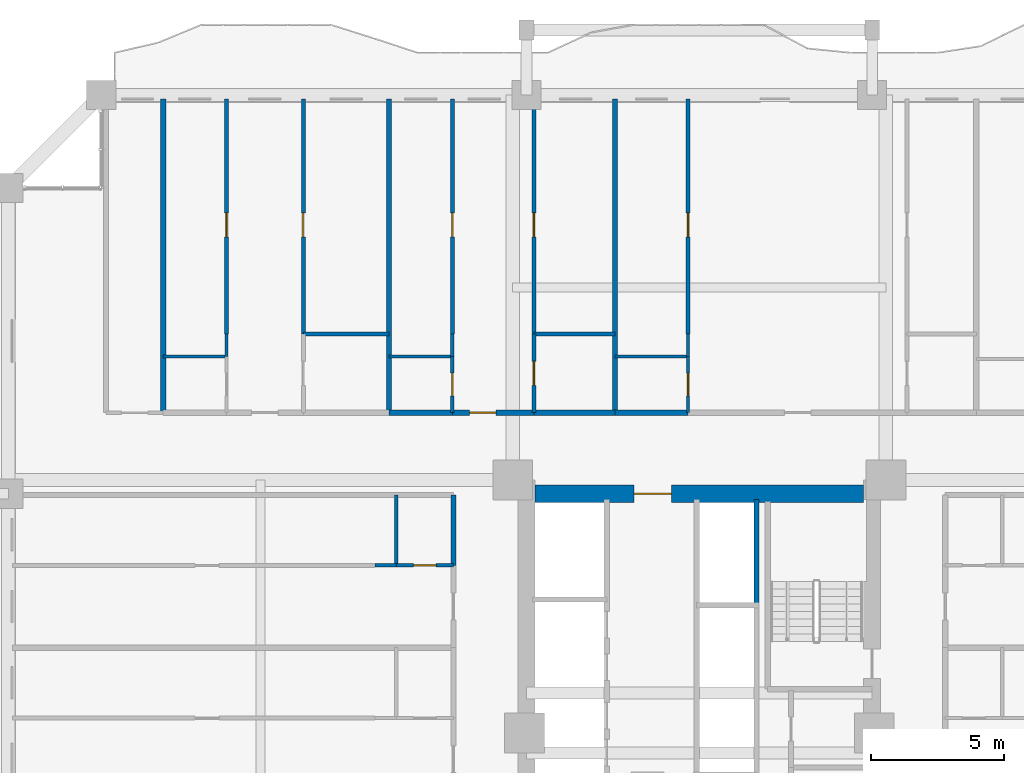
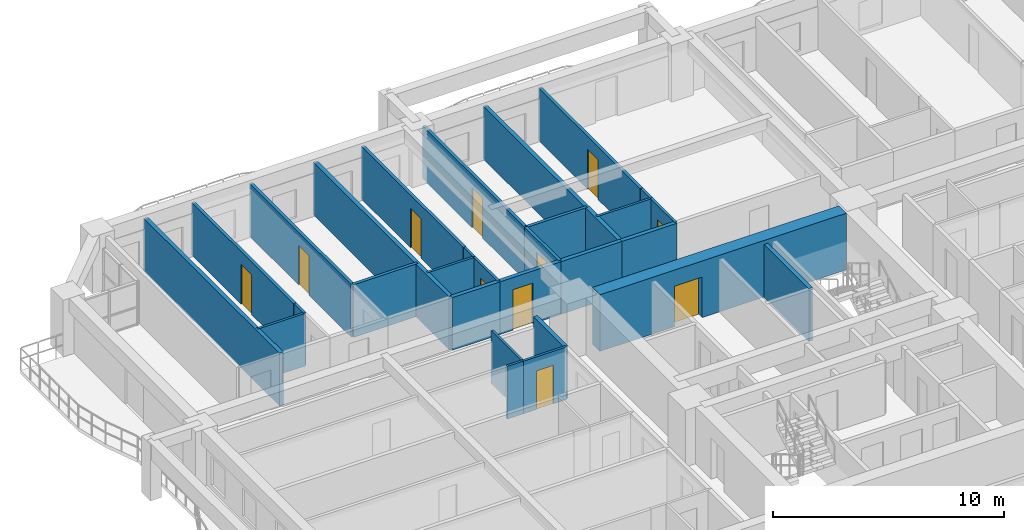
# One storey, part 19 of 28: 29 walls, 11 doors, 11 openings.
"""IFC4 building model written with IfcOpenShell, lengths in metres."""

from ifc_helpers import new_model, si_unit, direction, frame, frame_2d, origin, place, context, subcontext, project, spatial, rectangle, extrude, source, transform, mapped, material, layer, layer_set, type_object, element, fill, save


model = new_model("IFC4")

# Units and contexts
model_context = context("Model", 3, precision=1e-05, world=origin(), true_north=direction((0.0, 1.0)))
body_context = subcontext(model_context, "Body", "Model", "MODEL_VIEW")
ifc_project = project(units=[si_unit("LENGTHUNIT", "METRE"), si_unit("AREAUNIT", "SQUARE_METRE"), si_unit("VOLUMEUNIT", "CUBIC_METRE"), si_unit("PLANEANGLEUNIT", "RADIAN"), si_unit("MASSUNIT", "GRAM", prefix="KILO")], contexts=[model_context])

# Site, building, storey
site_placement = place(None, origin())
site = spatial("IfcSite", under=ifc_project, at=site_placement, CompositionType="ELEMENT")
building_placement = place(site_placement, origin())
building = spatial("IfcBuilding", under=site, at=building_placement, Name="Saelheon Loggia Tower", CompositionType="ELEMENT")
storey_placement = place(building_placement, frame((0.0, 0.0, 61.39990234375)))
storey = spatial("IfcBuildingStorey", under=building, at=storey_placement, Name="L19", CompositionType="ELEMENT", Elevation=61.39990234375)

# Wall, opening, door
ifc_material_1 = material(Name="Concrete C60/75", Category="concrete")
ifc_layer_1 = layer(ifc_material_1, 0.64990234375)
ifc_layer_set_1 = layer_set([ifc_layer_1], Name="Concrete C60/75")
wall_type_1 = type_object("IfcWallType", Name="Wall_CoreShear_650", PredefinedType="SHEAR", material=ifc_layer_set_1)
wall_1_placement = place(storey_placement, frame((31.824951171875, 36.0, 0.0), z_axis=(0.0, 0.0, 1.0), x_axis=(1.0, 0.0, 0.0)))
wall_1 = element("IfcWall", 1, at=wall_1_placement, inside=storey, type_object=wall_type_1, Name="L19 Core Shear Wall North", PredefinedType="SHEAR", context=body_context, shape_type="SweptSolid", body=[
    extrude(rectangle(XDim=12.35009765625, YDim=0.64990234375, at=frame_2d((6.175048828125, 0.0))), origin(), (0.0, 0.0, 1.0), 3.0),
])
opening_1_placement = place(wall_1_placement, frame((5.125, 0.0, 0.0), z_axis=(0.0, 0.0, 1.0), x_axis=(-1.0, 0.0, 0.0)))
opening_1 = element("IfcOpeningElement", 2, at=opening_1_placement, cuts=wall_1, Name="Opening D-FD2L", PredefinedType="OPENING", context=body_context, shape_type="SweptSolid", body=[
    extrude(rectangle(XDim=1.39990234375, YDim=2.14990234375, at=frame_2d((0.699951171875, 1.074951171875))), frame((0.0, 0.3369140625, 0.0), z_axis=(0.0, -1.0, 0.0), x_axis=(1.0, 0.0, 0.0)), (0.0, 0.0, 1.0), 0.673828125),
])
ifc_material_2 = material(Name="Galvanised Steel Glazed Lobby Fire Door", Category="steel")
door_type_1 = type_object("IfcDoorType", Name="Door_Fire_FD60_1400", OperationType="NOTDEFINED", PredefinedType="DOOR", material=ifc_material_2)
shared_shape_1 = source(origin(), body_context, "Body", "SweptSolid", [
    extrude(rectangle(XDim=1.39990234375, YDim=2.14990234375, at=frame_2d((0.699951171875, 1.074951171875))), frame((0.0, 0.02490234375, 0.0), z_axis=(0.0, -1.0, 0.0), x_axis=(1.0, 0.0, 0.0)), (0.0, 0.0, 1.0), 0.050048828125),
])
door_1_placement = place(opening_1_placement, origin())
door_1 = element("IfcDoor", 3, at=door_1_placement, inside=storey, type_object=door_type_1, Name="L19 Passenger Lift Lobby Main Door", OperationType="SINGLE_SWING_RIGHT", OverallHeight=2.14990234375, OverallWidth=1.39990234375, PredefinedType="DOOR", context=body_context, shape_type="MappedRepresentation", body=[
    mapped(shared_shape_1, transform((0.0, 0.0, 0.0), scale=1.0)),
])
fill(opening_1, door_1)

# Wall
ifc_material_3 = material(Name="Lightweight Autoclaved Aerated Concrete Block and Acoustic Gypsum", Category="concrete")
ifc_layer_2 = layer(ifc_material_3, 0.14990234375)
ifc_layer_set_2 = layer_set([ifc_layer_2], Name="Lightweight Autoclaved Aerated Concrete Block and Acoustic Gypsum")
wall_type_2 = type_object("IfcWallType", Name="Wall_Part_150", PredefinedType="PARTITIONING", material=ifc_layer_set_2)
wall_2_placement = place(storey_placement, frame((23.098876953125, 42.010009765625, 0.0), z_axis=(0.0, 0.0, 1.0), x_axis=(1.0, 0.0, 0.0)))
element("IfcWall", 4, at=wall_2_placement, inside=storey, type_object=wall_type_2, Name="L19 N Partition V09", PredefinedType="PARTITIONING", context=body_context, shape_type="SweptSolid", body=[
    extrude(rectangle(XDim=3.22900390625, YDim=0.14990234375, at=frame_2d((1.614501953125, 0.0))), origin(), (0.0, 0.0, 1.0), 2.7900390625),
])

# Wall, opening, door
wall_3_placement = place(storey_placement, frame((20.20947265625, 42.010009765625, 0.0), z_axis=(0.0, 0.0, 1.0), x_axis=(0.0, 1.0, 0.0)))
wall_3 = element("IfcWall", 5, at=wall_3_placement, inside=storey, type_object=wall_type_2, Name="L19 N Partition U12", PredefinedType="PARTITIONING", context=body_context, shape_type="SweptSolid", body=[
    extrude(rectangle(XDim=8.840087890625, YDim=0.14990234375, at=frame_2d((4.419921875, 0.0))), origin(), (0.0, 0.0, 1.0), 2.7900390625),
])
opening_2_placement = place(wall_3_placement, frame((3.6591796875, 0.0, 0.0)))
opening_2 = element("IfcOpeningElement", 6, at=opening_2_placement, cuts=wall_3, Name="Opening D-IN2", PredefinedType="OPENING", context=body_context, shape_type="SweptSolid", body=[
    extrude(rectangle(XDim=0.89990234375, YDim=2.10009765625, at=frame_2d((0.449951171875, 1.050048828125))), frame((0.0, 0.0869140625, 0.0), z_axis=(0.0, -1.0, 0.0), x_axis=(1.0, 0.0, 0.0)), (0.0, 0.0, 1.0), 0.173828125),
])
ifc_material_4 = material(Name="Engineered Oak Flush Door", Category="timber")
door_type_2 = type_object("IfcDoorType", Name="Door_Int_900", OperationType="NOTDEFINED", PredefinedType="DOOR", material=ifc_material_4)
shared_shape_2 = source(origin(), body_context, "Body", "SweptSolid", [
    extrude(rectangle(XDim=0.89990234375, YDim=2.10009765625, at=frame_2d((0.449951171875, 1.050048828125))), frame((0.0, 0.02490234375, 0.0), z_axis=(0.0, -1.0, 0.0), x_axis=(1.0, 0.0, 0.0)), (0.0, 0.0, 1.0), 0.050048828125),
])
door_2_placement = place(opening_2_placement, origin())
door_2 = element("IfcDoor", 7, at=door_2_placement, inside=storey, type_object=door_type_2, Name="Unit U06 Kitchen Door", OperationType="SINGLE_SWING_LEFT", OverallHeight=2.10009765625, OverallWidth=0.89990234375, PredefinedType="DOOR", context=body_context, shape_type="MappedRepresentation", body=[
    mapped(shared_shape_2, transform((0.0, 0.0, 0.0), scale=1.0)),
])
fill(opening_2, door_2)

wall_4_placement = place(storey_placement, frame((23.098876953125, 42.010009765625, 0.0), z_axis=(0.0, 0.0, 1.0), x_axis=(0.0, 1.0, 0.0)))
wall_4 = element("IfcWall", 8, at=wall_4_placement, inside=storey, type_object=wall_type_2, Name="L19 N Partition U14", PredefinedType="PARTITIONING", context=body_context, shape_type="SweptSolid", body=[
    extrude(rectangle(XDim=8.840087890625, YDim=0.14990234375, at=frame_2d((4.419921875, 0.0))), origin(), (0.0, 0.0, 1.0), 2.7900390625),
])
opening_3_placement = place(wall_4_placement, frame((3.6591796875, 0.0, 0.0)))
opening_3 = element("IfcOpeningElement", 9, at=opening_3_placement, cuts=wall_4, Name="Opening D-IN2", PredefinedType="OPENING", context=body_context, shape_type="SweptSolid", body=[
    extrude(rectangle(XDim=0.89990234375, YDim=2.10009765625, at=frame_2d((0.449951171875, 1.050048828125))), frame((0.0, 0.0869140625, 0.0), z_axis=(0.0, -1.0, 0.0), x_axis=(1.0, 0.0, 0.0)), (0.0, 0.0, 1.0), 0.173828125),
])
door_3_placement = place(opening_3_placement, origin())
door_3 = element("IfcDoor", 10, at=door_3_placement, inside=storey, type_object=door_type_2, Name="Unit U06 Bedroom 1 Door", OperationType="SINGLE_SWING_LEFT", OverallHeight=2.10009765625, OverallWidth=0.89990234375, PredefinedType="DOOR", context=body_context, shape_type="MappedRepresentation", body=[
    mapped(shared_shape_2, transform((0.0, 0.0, 0.0), scale=1.0)),
])
fill(opening_3, door_3)

# Wall
wall_5_placement = place(storey_placement, frame((31.780029296875, 42.010009765625, 0.0), z_axis=(0.0, 0.0, 1.0), x_axis=(1.0, 0.0, 0.0)))
element("IfcWall", 11, at=wall_5_placement, inside=storey, type_object=wall_type_2, Name="L19 N Partition V20", PredefinedType="PARTITIONING", context=body_context, shape_type="SweptSolid", body=[
    extrude(rectangle(XDim=3.0458984375, YDim=0.14990234375, at=frame_2d((1.52294921875, 0.0))), origin(), (0.0, 0.0, 1.0), 2.7900390625),
])

# Wall, opening, door
wall_6_placement = place(storey_placement, frame((28.70751953125, 42.010009765625, 0.0), z_axis=(0.0, 0.0, 1.0), x_axis=(0.0, 1.0, 0.0)))
wall_6 = element("IfcWall", 12, at=wall_6_placement, inside=storey, type_object=wall_type_2, Name="L19 N Partition U23", PredefinedType="PARTITIONING", context=body_context, shape_type="SweptSolid", body=[
    extrude(rectangle(XDim=8.840087890625, YDim=0.14990234375, at=frame_2d((4.419921875, 0.0))), origin(), (0.0, 0.0, 1.0), 2.7900390625),
])
opening_4_placement = place(wall_6_placement, frame((3.6591796875, 0.0, 0.0)))
opening_4 = element("IfcOpeningElement", 13, at=opening_4_placement, cuts=wall_6, Name="Opening D-IN2", PredefinedType="OPENING", context=body_context, shape_type="SweptSolid", body=[
    extrude(rectangle(XDim=0.89990234375, YDim=2.10009765625, at=frame_2d((0.449951171875, 1.050048828125))), frame((0.0, 0.0869140625, 0.0), z_axis=(0.0, -1.0, 0.0), x_axis=(1.0, 0.0, 0.0)), (0.0, 0.0, 1.0), 0.173828125),
])
door_4_placement = place(opening_4_placement, origin())
door_4 = element("IfcDoor", 14, at=door_4_placement, inside=storey, type_object=door_type_2, Name="Unit U07 Kitchen Door", OperationType="SINGLE_SWING_RIGHT", OverallHeight=2.10009765625, OverallWidth=0.89990234375, PredefinedType="DOOR", context=body_context, shape_type="MappedRepresentation", body=[
    mapped(shared_shape_2, transform((0.0, 0.0, 0.0), scale=1.0)),
])
fill(opening_4, door_4)

wall_7_placement = place(storey_placement, frame((31.780029296875, 39.050048828125, 0.0), z_axis=(0.0, 0.0, 1.0), x_axis=(0.0, 1.0, 0.0)))
wall_7 = element("IfcWall", 15, at=wall_7_placement, inside=storey, type_object=wall_type_2, Name="L19 N Partition U24", PredefinedType="PARTITIONING", context=body_context, shape_type="SweptSolid", body=[
    extrude(rectangle(XDim=2.9599609375, YDim=0.14990234375, at=frame_2d((1.47998046875, 0.0))), origin(), (0.0, 0.0, 1.0), 2.7900390625),
])
opening_5_placement = place(wall_7_placement, frame((1.030029296875, 0.0, 0.0)))
opening_5 = element("IfcOpeningElement", 16, at=opening_5_placement, cuts=wall_7, Name="Opening D-IN2", PredefinedType="OPENING", context=body_context, shape_type="SweptSolid", body=[
    extrude(rectangle(XDim=0.89990234375, YDim=2.10009765625, at=frame_2d((0.449951171875, 1.050048828125))), frame((0.0, 0.0869140625, 0.0), z_axis=(0.0, -1.0, 0.0), x_axis=(1.0, 0.0, 0.0)), (0.0, 0.0, 1.0), 0.173828125),
])
door_5_placement = place(opening_5_placement, origin())
door_5 = element("IfcDoor", 17, at=door_5_placement, inside=storey, type_object=door_type_2, Name="Unit U07 Dressing Closet Door", OperationType="SINGLE_SWING_LEFT", OverallHeight=2.10009765625, OverallWidth=0.89990234375, PredefinedType="DOOR", context=body_context, shape_type="MappedRepresentation", body=[
    mapped(shared_shape_2, transform((0.0, 0.0, 0.0), scale=1.0)),
])
fill(opening_5, door_5)

wall_8_placement = place(storey_placement, frame((31.780029296875, 42.010009765625, 0.0), z_axis=(0.0, 0.0, 1.0), x_axis=(0.0, 1.0, 0.0)))
wall_8 = element("IfcWall", 18, at=wall_8_placement, inside=storey, type_object=wall_type_2, Name="L19 N Partition U25", PredefinedType="PARTITIONING", context=body_context, shape_type="SweptSolid", body=[
    extrude(rectangle(XDim=8.840087890625, YDim=0.14990234375, at=frame_2d((4.419921875, 0.0))), origin(), (0.0, 0.0, 1.0), 2.7900390625),
])
opening_6_placement = place(wall_8_placement, frame((3.6591796875, 0.0, 0.0)))
opening_6 = element("IfcOpeningElement", 19, at=opening_6_placement, cuts=wall_8, Name="Opening D-IN2", PredefinedType="OPENING", context=body_context, shape_type="SweptSolid", body=[
    extrude(rectangle(XDim=0.89990234375, YDim=2.10009765625, at=frame_2d((0.449951171875, 1.050048828125))), frame((0.0, 0.0869140625, 0.0), z_axis=(0.0, -1.0, 0.0), x_axis=(1.0, 0.0, 0.0)), (0.0, 0.0, 1.0), 0.173828125),
])
door_6_placement = place(opening_6_placement, origin())
door_6 = element("IfcDoor", 20, at=door_6_placement, inside=storey, type_object=door_type_2, Name="Unit U07 Bedroom 1 Door", OperationType="SINGLE_SWING_RIGHT", OverallHeight=2.10009765625, OverallWidth=0.89990234375, PredefinedType="DOOR", context=body_context, shape_type="MappedRepresentation", body=[
    mapped(shared_shape_2, transform((0.0, 0.0, 0.0), scale=1.0)),
])
fill(opening_6, door_6)

wall_9_placement = place(storey_placement, frame((37.575927734375, 42.010009765625, 0.0), z_axis=(0.0, 0.0, 1.0), x_axis=(0.0, 1.0, 0.0)))
wall_9 = element("IfcWall", 21, at=wall_9_placement, inside=storey, type_object=wall_type_2, Name="L19 N Partition U34", PredefinedType="PARTITIONING", context=body_context, shape_type="SweptSolid", body=[
    extrude(rectangle(XDim=8.840087890625, YDim=0.14990234375, at=frame_2d((4.419921875, 0.0))), origin(), (0.0, 0.0, 1.0), 2.7900390625),
])
opening_7_placement = place(wall_9_placement, frame((3.6591796875, 0.0, 0.0)))
opening_7 = element("IfcOpeningElement", 22, at=opening_7_placement, cuts=wall_9, Name="Opening D-IN2", PredefinedType="OPENING", context=body_context, shape_type="SweptSolid", body=[
    extrude(rectangle(XDim=0.89990234375, YDim=2.10009765625, at=frame_2d((0.449951171875, 1.050048828125))), frame((0.0, 0.0869140625, 0.0), z_axis=(0.0, -1.0, 0.0), x_axis=(1.0, 0.0, 0.0)), (0.0, 0.0, 1.0), 0.173828125),
])
door_7_placement = place(opening_7_placement, origin())
door_7 = element("IfcDoor", 23, at=door_7_placement, inside=storey, type_object=door_type_2, Name="Unit U08 Kitchen Door", OperationType="SINGLE_SWING_LEFT", OverallHeight=2.10009765625, OverallWidth=0.89990234375, PredefinedType="DOOR", context=body_context, shape_type="MappedRepresentation", body=[
    mapped(shared_shape_2, transform((0.0, 0.0, 0.0), scale=1.0)),
])
fill(opening_7, door_7)

# Walls
ifc_material_5 = material(Name="Double Acoustic Stud and Fireboard Partition", Category="gypsum")
ifc_layer_3 = layer(ifc_material_5, 0.199951171875)
ifc_layer_set_3 = layer_set([ifc_layer_3], Name="Double Acoustic Stud and Fireboard Partition")
wall_type_3 = type_object("IfcWallType", Name="Wall_Party_200", PredefinedType="PARTITIONING", material=ifc_layer_set_3)
for number, where, z_axis, x_axis, name in (
    (24, (17.830078125, 39.050048828125, 0.0), (0.0, 0.0, 1.0), (0.0, 1.0, 0.0), "L19 N Partition U03"),
    (25, (26.327880859375, 39.050048828125, 0.0), (0.0, 0.0, 1.0), (0.0, 1.0, 0.0), "L19 N Partition U15"),
):
    element("IfcWall", number, at=place(storey_placement, frame(where, z_axis=z_axis, x_axis=x_axis)), inside=storey, type_object=wall_type_3, Name=name, PredefinedType="PARTITIONING", context=body_context, shape_type="SweptSolid", body=[
        extrude(rectangle(XDim=11.800048828125, YDim=0.199951171875, at=frame_2d((5.89990234375, 0.0))), origin(), (0.0, 0.0, 1.0), 2.7900390625),
    ])
wall_10_placement = place(storey_placement, frame((26.327880859375, 39.050048828125, 0.0), z_axis=(0.0, 0.0, 1.0), x_axis=(1.0, 0.0, 0.0)))
element("IfcWall", 26, at=wall_10_placement, inside=storey, type_object=wall_type_3, Name="L19 N Partition V16", PredefinedType="PARTITIONING", context=body_context, shape_type="SweptSolid", body=[
    extrude(rectangle(XDim=2.379638671875, YDim=0.199951171875, at=frame_2d((1.18994140625, 0.0))), origin(), (0.0, 0.0, 1.0), 2.7900390625),
])

# Wall, opening, door
wall_11_placement = place(storey_placement, frame((28.70751953125, 39.050048828125, 0.0), z_axis=(0.0, 0.0, 1.0), x_axis=(1.0, 0.0, 0.0)))
wall_11 = element("IfcWall", 27, at=wall_11_placement, inside=storey, type_object=wall_type_3, Name="L19 N Partition V17", PredefinedType="PARTITIONING", context=body_context, shape_type="SweptSolid", body=[
    extrude(rectangle(XDim=3.072509765625, YDim=0.199951171875, at=frame_2d((1.5361328125, 0.0))), origin(), (0.0, 0.0, 1.0), 2.7900390625),
])
opening_8_placement = place(wall_11_placement, frame((0.648193359375, 0.0, 0.0)))
opening_8 = element("IfcOpeningElement", 28, at=opening_8_placement, cuts=wall_11, Name="Opening D-FD1", PredefinedType="OPENING", context=body_context, shape_type="SweptSolid", body=[
    extrude(rectangle(XDim=1.0, YDim=2.14990234375, at=frame_2d((0.5, 1.074951171875))), frame((0.0, 0.112060546875, 0.0), z_axis=(0.0, -1.0, 0.0), x_axis=(1.0, 0.0, 0.0)), (0.0, 0.0, 1.0), 0.223876953125),
])
ifc_material_6 = material(Name="Fire-Rated Engineered Timber Entrance Door", Category="wood")
door_type_3 = type_object("IfcDoorType", Name="Door_Flat_FD30S", OperationType="NOTDEFINED", PredefinedType="DOOR", material=ifc_material_6)
shared_shape_3 = source(origin(), body_context, "Body", "SweptSolid", [
    extrude(rectangle(XDim=1.0, YDim=2.14990234375, at=frame_2d((0.5, 1.074951171875))), frame((0.0, 0.02490234375, 0.0), z_axis=(0.0, -1.0, 0.0), x_axis=(1.0, 0.0, 0.0)), (0.0, 0.0, 1.0), 0.050048828125),
])
door_8_placement = place(opening_8_placement, origin())
door_8 = element("IfcDoor", 29, at=door_8_placement, inside=storey, type_object=door_type_3, Name="Unit U07 Entrance Door", OperationType="SINGLE_SWING_RIGHT", OverallHeight=2.14990234375, OverallWidth=1.0, PredefinedType="DOOR", context=body_context, shape_type="MappedRepresentation", body=[
    mapped(shared_shape_3, transform((0.0, 0.0, 0.0), scale=1.0)),
])
fill(opening_8, door_8)

# Walls
wall_12_placement = place(storey_placement, frame((31.780029296875, 39.050048828125, 0.0), z_axis=(0.0, 0.0, 1.0), x_axis=(1.0, 0.0, 0.0)))
element("IfcWall", 30, at=wall_12_placement, inside=storey, type_object=wall_type_3, Name="L19 N Partition V18", PredefinedType="PARTITIONING", context=body_context, shape_type="SweptSolid", body=[
    extrude(rectangle(XDim=3.0458984375, YDim=0.199951171875, at=frame_2d((1.52294921875, 0.0))), origin(), (0.0, 0.0, 1.0), 2.7900390625),
])
wall_13_placement = place(storey_placement, frame((34.825927734375, 39.050048828125, 0.0), z_axis=(0.0, 0.0, 1.0), x_axis=(0.0, 1.0, 0.0)))
element("IfcWall", 31, at=wall_13_placement, inside=storey, type_object=wall_type_3, Name="L19 N Partition U26", PredefinedType="PARTITIONING", context=body_context, shape_type="SweptSolid", body=[
    extrude(rectangle(XDim=11.800048828125, YDim=0.199951171875, at=frame_2d((5.89990234375, 0.0))), origin(), (0.0, 0.0, 1.0), 2.7900390625),
])
wall_14_placement = place(storey_placement, frame((34.825927734375, 39.050048828125, 0.0), z_axis=(0.0, 0.0, 1.0), x_axis=(1.0, 0.0, 0.0)))
element("IfcWall", 32, at=wall_14_placement, inside=storey, type_object=wall_type_3, Name="L19 N Partition V27", PredefinedType="PARTITIONING", context=body_context, shape_type="SweptSolid", body=[
    extrude(rectangle(XDim=2.75, YDim=0.199951171875, at=frame_2d((1.375, 0.0))), origin(), (0.0, 0.0, 1.0), 2.7900390625),
])
wall_15_placement = place(storey_placement, frame((28.75, 33.307861328125, 0.0), z_axis=(0.0, 0.0, 1.0), x_axis=(0.0, 1.0, 0.0)))
element("IfcWall", 33, at=wall_15_placement, inside=storey, type_object=wall_type_3, Name="L19 W Partition V20", PredefinedType="PARTITIONING", context=body_context, shape_type="SweptSolid", body=[
    extrude(rectangle(XDim=2.64208984375, YDim=0.199951171875, at=frame_2d((1.321044921875, 0.0))), origin(), (0.0, 0.0, 1.0), 2.7900390625),
])
ifc_material_7 = material(Name="Concrete C40/50", Category="concrete")
ifc_layer_4 = layer(ifc_material_7, 0.199951171875)
ifc_layer_set_4 = layer_set([ifc_layer_4], Name="Concrete C40/50")
wall_type_4 = type_object("IfcWallType", Name="Wall_Shaft_200", PredefinedType="PARTITIONING", material=ifc_layer_set_4)
wall_16_placement = place(storey_placement, frame((40.14990234375, 31.800048828125, 0.0), z_axis=(0.0, 0.0, 1.0), x_axis=(0.0, 1.0, 0.0)))
element("IfcWall", 34, at=wall_16_placement, inside=storey, type_object=wall_type_4, Name="L19 East High-Rise Hoistway East Wall", PredefinedType="PARTITIONING", context=body_context, shape_type="SweptSolid", body=[
    extrude(rectangle(XDim=3.97998046875, YDim=0.199951171875, at=frame_2d((1.989990234375, 0.0))), origin(), (0.0, 0.0, 1.0), 2.7900390625),
])
ifc_material_8 = material(Name="Moisture-Resistant Cement Board Partition", Category="gypsum")
ifc_layer_5 = layer(ifc_material_8, 0.1201171875)
ifc_layer_set_5 = layer_set([ifc_layer_5], Name="Moisture-Resistant Cement Board Partition")
wall_type_5 = type_object("IfcWallType", Name="Wall_WetPart_120", PredefinedType="PARTITIONING", material=ifc_layer_set_5)
wall_17_placement = place(storey_placement, frame((17.830078125, 41.169921875, 0.0), z_axis=(0.0, 0.0, 1.0), x_axis=(1.0, 0.0, 0.0)))
element("IfcWall", 35, at=wall_17_placement, inside=storey, type_object=wall_type_5, Name="L19 N Partition V08", PredefinedType="PARTITIONING", context=body_context, shape_type="SweptSolid", body=[
    extrude(rectangle(XDim=2.37939453125, YDim=0.1201171875, at=frame_2d((1.189697265625, 0.0))), origin(), (0.0, 0.0, 1.0), 2.7900390625),
])
wall_18_placement = place(storey_placement, frame((20.20947265625, 41.169921875, 0.0), z_axis=(0.0, 0.0, 1.0), x_axis=(0.0, 1.0, 0.0)))
element("IfcWall", 36, at=wall_18_placement, inside=storey, type_object=wall_type_5, Name="L19 N Partition U11", PredefinedType="PARTITIONING", context=body_context, shape_type="SweptSolid", body=[
    extrude(rectangle(XDim=0.840087890625, YDim=0.1201171875, at=frame_2d((0.419921875, 0.0))), origin(), (0.0, 0.0, 1.0), 2.7900390625),
])
wall_19_placement = place(storey_placement, frame((26.327880859375, 41.169921875, 0.0), z_axis=(0.0, 0.0, 1.0), x_axis=(1.0, 0.0, 0.0)))
element("IfcWall", 37, at=wall_19_placement, inside=storey, type_object=wall_type_5, Name="L19 N Partition V19", PredefinedType="PARTITIONING", context=body_context, shape_type="SweptSolid", body=[
    extrude(rectangle(XDim=2.379638671875, YDim=0.1201171875, at=frame_2d((1.18994140625, 0.0))), origin(), (0.0, 0.0, 1.0), 2.7900390625),
])

# Wall, opening, door
wall_20_placement = place(storey_placement, frame((28.70751953125, 39.050048828125, 0.0), z_axis=(0.0, 0.0, 1.0), x_axis=(0.0, 1.0, 0.0)))
wall_20 = element("IfcWall", 38, at=wall_20_placement, inside=storey, type_object=wall_type_5, Name="L19 N Partition U21", PredefinedType="PARTITIONING", context=body_context, shape_type="SweptSolid", body=[
    extrude(rectangle(XDim=2.119873046875, YDim=0.1201171875, at=frame_2d((1.06005859375, 0.0))), origin(), (0.0, 0.0, 1.0), 2.7900390625),
])
opening_9_placement = place(wall_20_placement, frame((0.635009765625, 0.0, 0.0)))
opening_9 = element("IfcOpeningElement", 39, at=opening_9_placement, cuts=wall_20, Name="Opening D-BT1", PredefinedType="OPENING", context=body_context, shape_type="SweptSolid", body=[
    extrude(rectangle(XDim=0.85009765625, YDim=2.050048828125, at=frame_2d((0.425048828125, 1.02490234375))), frame((0.0, 0.072021484375, 0.0), z_axis=(0.0, -1.0, 0.0), x_axis=(1.0, 0.0, 0.0)), (0.0, 0.0, 1.0), 0.14404296875),
])
ifc_material_9 = material(Name="Moisture-Resistant Laminate Timber Door", Category="wood")
door_type_4 = type_object("IfcDoorType", Name="Door_Bath_850", OperationType="NOTDEFINED", PredefinedType="DOOR", material=ifc_material_9)
shared_shape_4 = source(origin(), body_context, "Body", "SweptSolid", [
    extrude(rectangle(XDim=0.85009765625, YDim=2.050048828125, at=frame_2d((0.425048828125, 1.02490234375))), frame((0.0, 0.02490234375, 0.0), z_axis=(0.0, -1.0, 0.0), x_axis=(1.0, 0.0, 0.0)), (0.0, 0.0, 1.0), 0.050048828125),
])
door_9_placement = place(opening_9_placement, origin())
door_9 = element("IfcDoor", 40, at=door_9_placement, inside=storey, type_object=door_type_4, Name="Unit U07 Bathroom Door", OperationType="SINGLE_SWING_LEFT", OverallHeight=2.050048828125, OverallWidth=0.85009765625, PredefinedType="DOOR", context=body_context, shape_type="MappedRepresentation", body=[
    mapped(shared_shape_4, transform((0.0, 0.0, 0.0), scale=1.0)),
])
fill(opening_9, door_9)

# Walls
wall_21_placement = place(storey_placement, frame((28.70751953125, 41.169921875, 0.0), z_axis=(0.0, 0.0, 1.0), x_axis=(0.0, 1.0, 0.0)))
element("IfcWall", 41, at=wall_21_placement, inside=storey, type_object=wall_type_5, Name="L19 N Partition U22", PredefinedType="PARTITIONING", context=body_context, shape_type="SweptSolid", body=[
    extrude(rectangle(XDim=0.840087890625, YDim=0.1201171875, at=frame_2d((0.419921875, 0.0))), origin(), (0.0, 0.0, 1.0), 2.7900390625),
])
wall_22_placement = place(storey_placement, frame((34.825927734375, 41.169921875, 0.0), z_axis=(0.0, 0.0, 1.0), x_axis=(1.0, 0.0, 0.0)))
element("IfcWall", 42, at=wall_22_placement, inside=storey, type_object=wall_type_5, Name="L19 N Partition V30", PredefinedType="PARTITIONING", context=body_context, shape_type="SweptSolid", body=[
    extrude(rectangle(XDim=2.75, YDim=0.1201171875, at=frame_2d((1.375, 0.0))), origin(), (0.0, 0.0, 1.0), 2.7900390625),
])

# Wall, opening, door
wall_23_placement = place(storey_placement, frame((37.575927734375, 39.050048828125, 0.0), z_axis=(0.0, 0.0, 1.0), x_axis=(0.0, 1.0, 0.0)))
wall_23 = element("IfcWall", 43, at=wall_23_placement, inside=storey, type_object=wall_type_5, Name="L19 N Partition U32", PredefinedType="PARTITIONING", context=body_context, shape_type="SweptSolid", body=[
    extrude(rectangle(XDim=2.119873046875, YDim=0.1201171875, at=frame_2d((1.06005859375, 0.0))), origin(), (0.0, 0.0, 1.0), 2.7900390625),
])
opening_10_placement = place(wall_23_placement, frame((0.635009765625, 0.0, 0.0)))
opening_10 = element("IfcOpeningElement", 44, at=opening_10_placement, cuts=wall_23, Name="Opening D-BT1", PredefinedType="OPENING", context=body_context, shape_type="SweptSolid", body=[
    extrude(rectangle(XDim=0.85009765625, YDim=2.050048828125, at=frame_2d((0.425048828125, 1.02490234375))), frame((0.0, 0.072021484375, 0.0), z_axis=(0.0, -1.0, 0.0), x_axis=(1.0, 0.0, 0.0)), (0.0, 0.0, 1.0), 0.14404296875),
])
door_10_placement = place(opening_10_placement, origin())
door_10 = element("IfcDoor", 45, at=door_10_placement, inside=storey, type_object=door_type_4, Name="Unit U08 Bathroom Door", OperationType="SINGLE_SWING_RIGHT", OverallHeight=2.050048828125, OverallWidth=0.85009765625, PredefinedType="DOOR", context=body_context, shape_type="MappedRepresentation", body=[
    mapped(shared_shape_4, transform((0.0, 0.0, 0.0), scale=1.0)),
])
fill(opening_10, door_10)

# Wall
wall_24_placement = place(storey_placement, frame((37.575927734375, 41.169921875, 0.0), z_axis=(0.0, 0.0, 1.0), x_axis=(0.0, 1.0, 0.0)))
element("IfcWall", 46, at=wall_24_placement, inside=storey, type_object=wall_type_5, Name="L19 N Partition U33", PredefinedType="PARTITIONING", context=body_context, shape_type="SweptSolid", body=[
    extrude(rectangle(XDim=0.840087890625, YDim=0.1201171875, at=frame_2d((0.419921875, 0.0))), origin(), (0.0, 0.0, 1.0), 2.7900390625),
])

# Wall, opening, door
wall_25_placement = place(storey_placement, frame((28.75, 33.307861328125, 0.0), z_axis=(0.0, 0.0, 1.0), x_axis=(-1.0, 0.0, 0.0)))
wall_25 = element("IfcWall", 47, at=wall_25_placement, inside=storey, type_object=wall_type_5, Name="L19 W Partition U21", PredefinedType="PARTITIONING", context=body_context, shape_type="SweptSolid", body=[
    extrude(rectangle(XDim=2.14990234375, YDim=0.1201171875, at=frame_2d((1.074951171875, 0.0))), origin(), (0.0, 0.0, 1.0), 2.7900390625),
])
opening_11_placement = place(wall_25_placement, frame((0.64990234375, 0.0, 0.0)))
opening_11 = element("IfcOpeningElement", 48, at=opening_11_placement, cuts=wall_25, Name="Opening D-BT1", PredefinedType="OPENING", context=body_context, shape_type="SweptSolid", body=[
    extrude(rectangle(XDim=0.85009765625, YDim=2.050048828125, at=frame_2d((0.425048828125, 1.02490234375))), frame((0.0, 0.072021484375, 0.0), z_axis=(0.0, -1.0, 0.0), x_axis=(1.0, 0.0, 0.0)), (0.0, 0.0, 1.0), 0.14404296875),
])
door_11_placement = place(opening_11_placement, origin())
door_11 = element("IfcDoor", 49, at=door_11_placement, inside=storey, type_object=door_type_4, Name="Unit U12 Bathroom Door", OperationType="SINGLE_SWING_LEFT", OverallHeight=2.050048828125, OverallWidth=0.85009765625, PredefinedType="DOOR", context=body_context, shape_type="MappedRepresentation", body=[
    mapped(shared_shape_4, transform((0.0, 0.0, 0.0), scale=1.0)),
])
fill(opening_11, door_11)

# Walls
wall_26_placement = place(storey_placement, frame((26.60009765625, 33.307861328125, 0.0), z_axis=(0.0, 0.0, 1.0), x_axis=(-1.0, 0.0, 0.0)))
element("IfcWall", 50, at=wall_26_placement, inside=storey, type_object=wall_type_5, Name="L19 W Partition U22", PredefinedType="PARTITIONING", context=body_context, shape_type="SweptSolid", body=[
    extrude(rectangle(XDim=0.81005859375, YDim=0.1201171875, at=frame_2d((0.405029296875, 0.0))), origin(), (0.0, 0.0, 1.0), 2.7900390625),
])
wall_27_placement = place(storey_placement, frame((26.60009765625, 33.307861328125, 0.0), z_axis=(0.0, 0.0, 1.0), x_axis=(0.0, 1.0, 0.0)))
element("IfcWall", 51, at=wall_27_placement, inside=storey, type_object=wall_type_5, Name="L19 W Partition V23", PredefinedType="PARTITIONING", context=body_context, shape_type="SweptSolid", body=[
    extrude(rectangle(XDim=2.64208984375, YDim=0.1201171875, at=frame_2d((1.321044921875, 0.0))), origin(), (0.0, 0.0, 1.0), 2.7900390625),
])

save(model, "model.ifc")
